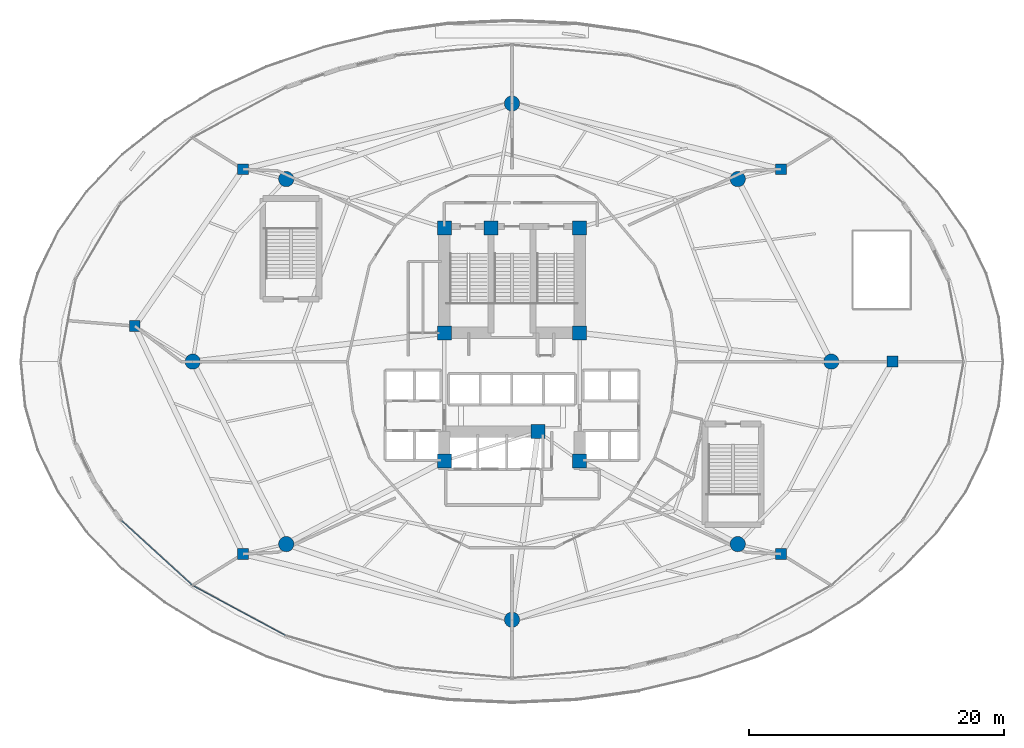
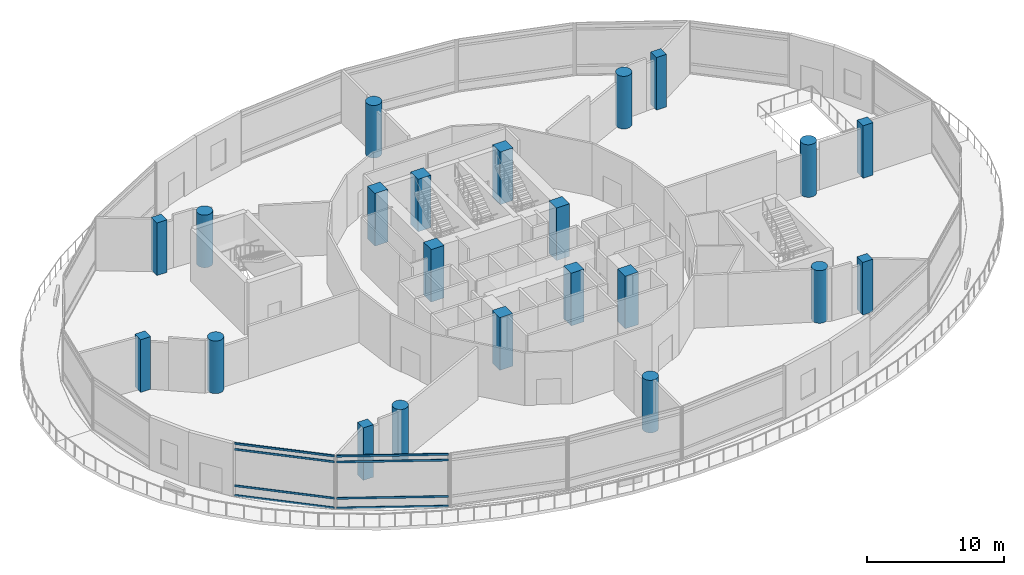
# One storey, part 1 of 36: 22 columns, 8 members, 2 elements without a shape of their own.
"""IFC4 building model written with IfcOpenShell, lengths in metres."""

import ifcopenshell
import ifcopenshell.guid

model = None  # the IFC model being written
_history = None  # IfcOwnerHistory: only IFC2X3 demands one
_inside = {}  # id of a spatial element -> (the spatial element, [elements in it])
_under = {}  # id of a project, library or spatial element -> (it, [spatial elements below it])
_declared = {}  # id of a project -> (the project, [libraries it declares])
_typed = {}  # id of a type object -> (the type object, [elements of that type])
_made_of = {}  # id of a material, layer set ... -> (it, [elements and type objects made of it])


def new_model(schema):
    """Start an empty IFC model of exactly this schema.

    Asked for "IFC4X3", IfcOpenShell would pick the latest addendum, in which some entities
    have other attributes; the version numbers below select the first issue.
    IFC2X3 requires an IfcOwnerHistory on every rooted entity: one is made here for all.
    """
    global model, _history
    if schema == "IFC4X3":
        model = ifcopenshell.file(schema_version=(4, 3, 0, 0))
    else:
        model = ifcopenshell.file(schema=schema)
    _inside.clear()
    _under.clear()
    _declared.clear()
    _typed.clear()
    _made_of.clear()
    _history = None
    if model.schema == "IFC2X3":
        org = make("IfcOrganization", Name="unknown")
        user = make(
            "IfcPersonAndOrganization",
            ThePerson=make("IfcPerson", FamilyName="unknown"),
            TheOrganization=org,
        )
        app = make(
            "IfcApplication",
            ApplicationDeveloper=org,
            Version="unknown",
            ApplicationFullName="unknown",
            ApplicationIdentifier="unknown",
        )
        _history = make(
            "IfcOwnerHistory",
            OwningUser=user,
            OwningApplication=app,
            ChangeAction="ADDED",
            CreationDate=0,
        )
    return model


def make(cls, **values):
    """One entity of the class cls with the attributes given. An attribute that is None is left unset."""
    return model.create_entity(
        cls, **{name: value for name, value in values.items() if value is not None}
    )


def rooted(cls, **values):
    """An entity with a GlobalId (a new one), such as an element, a storey or a relation."""
    return make(cls, GlobalId=ifcopenshell.guid.new(), OwnerHistory=_history, **values)


def si_unit(unit_type, name, prefix=None):
    """IfcSIUnit, for example si_unit("LENGTHUNIT", "METRE", prefix="MILLI")."""
    return make("IfcSIUnit", UnitType=unit_type, Prefix=prefix, Name=name)


def assignment(units):
    """IfcUnitAssignment: the units of a project."""
    return None if units is None else make("IfcUnitAssignment", Units=units)


def point(xyz):
    """IfcCartesianPoint."""
    return None if xyz is None else make("IfcCartesianPoint", Coordinates=xyz)


def direction(xyz):
    """IfcDirection."""
    return None if xyz is None else make("IfcDirection", DirectionRatios=xyz)


def frame(location, z_axis=None, x_axis=None):
    """IfcAxis2Placement3D, a coordinate frame: its origin and axes. An axis left out is left unset."""
    return make(
        "IfcAxis2Placement3D",
        Location=point(location),
        Axis=direction(z_axis),
        RefDirection=direction(x_axis),
    )


def frame_2d(location, x_axis=None):
    """IfcAxis2Placement2D, a coordinate frame in the plane: its origin and x axis."""
    return make(
        "IfcAxis2Placement2D", Location=point(location), RefDirection=direction(x_axis)
    )


def origin():
    """The frame at (0, 0, 0) with its axes left unset."""
    return frame((0.0, 0.0, 0.0))


def origin_2d():
    """The frame at (0, 0) in the plane with its x axis left unset."""
    return frame_2d((0.0, 0.0))


def place(relative_to, where):
    """IfcLocalPlacement: puts the frame where relative to a parent placement (None: the world)."""
    return make(
        "IfcLocalPlacement", PlacementRelTo=relative_to, RelativePlacement=where
    )


def context(
    kind, dimensions, precision=None, world=None, true_north=None, identifier=None
):
    """IfcGeometricRepresentationContext, for example the 3D "Model" context."""
    return make(
        "IfcGeometricRepresentationContext",
        ContextIdentifier=identifier,
        ContextType=kind,
        CoordinateSpaceDimension=dimensions,
        Precision=precision,
        WorldCoordinateSystem=world,
        TrueNorth=true_north,
    )


def subcontext(parent, identifier, kind, view, scale=None):
    """IfcGeometricRepresentationSubContext, for example "Body" below "Model"."""
    return make(
        "IfcGeometricRepresentationSubContext",
        ContextIdentifier=identifier,
        ContextType=kind,
        ParentContext=parent,
        TargetScale=scale,
        TargetView=view,
    )


def project(units=None, contexts=None):
    """IfcProject with its units and contexts."""
    return rooted(
        "IfcProject",
        Name="project",
        RepresentationContexts=contexts,
        UnitsInContext=assignment(units),
    )


def spatial(cls, under=None, at=None, **own):
    """A site, building, storey or space (cls), placed at a placement, below another one or the project."""
    s = rooted(cls, ObjectPlacement=at, **own)
    if under is not None:
        _under.setdefault(under.id(), (under, []))[1].append(s)
    return s


def profile(cls, at=None, kind="AREA", **sizes):
    """A parametric profile (cls). Its sizes go by their IFC names, for example OverallWidth=200.0."""
    return make(cls, ProfileType=kind, Position=at, **sizes)


def rectangle(**sizes):
    """IfcRectangleProfileDef."""
    return profile("IfcRectangleProfileDef", **sizes)


def hollow_rectangle(**sizes):
    """IfcRectangleHollowProfileDef."""
    return profile("IfcRectangleHollowProfileDef", **sizes)


def circle(**sizes):
    """IfcCircleProfileDef."""
    return profile("IfcCircleProfileDef", **sizes)


def extrude(swept, where, along, depth):
    """IfcExtrudedAreaSolid: the profile swept, set in the frame where, extruded along a direction by depth."""
    return make(
        "IfcExtrudedAreaSolid",
        SweptArea=swept,
        Position=where,
        ExtrudedDirection=direction(along),
        Depth=depth,
    )


def shape(context_of_items, identifier, shape_type, items):
    """IfcShapeRepresentation: the items that make up one representation, for example the "Body"."""
    return make(
        "IfcShapeRepresentation",
        ContextOfItems=context_of_items,
        RepresentationIdentifier=identifier,
        RepresentationType=shape_type,
        Items=items,
    )


def material(Name=None, Category=None):
    """IfcMaterial."""
    return make("IfcMaterial", Name=Name, Category=Category)


def layer(
    of_material, thickness, ventilated=None, Name=None, Category=None, Priority=None
):
    """IfcMaterialLayer: one layer of a wall or slab, of a material (None: an air gap)."""
    return make(
        "IfcMaterialLayer",
        Material=of_material,
        LayerThickness=thickness,
        IsVentilated=ventilated,
        Name=Name,
        Category=Category,
        Priority=Priority,
    )


def layer_set(layers, Name=None):
    """IfcMaterialLayerSet."""
    return make("IfcMaterialLayerSet", MaterialLayers=layers, LayerSetName=Name)


def material_profile(
    of_material, cross_section, Name=None, Category=None, Priority=None
):
    """IfcMaterialProfile: a cross section and its material."""
    return make(
        "IfcMaterialProfile",
        Name=Name,
        Material=of_material,
        Profile=cross_section,
        Priority=Priority,
        Category=Category,
    )


def profile_set(profiles, Name=None, composite=None):
    """IfcMaterialProfileSet."""
    return make(
        "IfcMaterialProfileSet",
        Name=Name,
        MaterialProfiles=profiles,
        CompositeProfile=composite,
    )


def made_of(thing, what):
    """Note that an element or type object is made of a material, layer set ...; save() writes the relation."""
    if what is not None:
        _made_of.setdefault(what.id(), (what, []))[1].append(thing)
    return thing


def type_object(cls, material=None, **own):
    """A type object (cls), such as IfcWallType, which elements share."""
    return made_of(rooted(cls, **own), material)


def element(
    cls,
    number,
    at=None,
    inside=None,
    cuts=None,
    type_object=None,
    material=None,
    context=None,
    identifier="Body",
    shape_type=None,
    held_by="IfcProductDefinitionShape",
    body=None,
    shapes=None,
    **own,
):
    """One element of the class cls, such as IfcWall. Its Tag is "e" and its number.

    at: its placement. inside: the storey or other place that contains it. cuts: it is an
    opening in that element (IfcRelVoidsElement). A single representation is given by context,
    identifier, shape_type and body (its items); several are given by shapes. held_by: the class
    of the entity that holds the representations. save() writes the other relations.
    """
    e = rooted(cls, Tag="e%d" % number, ObjectPlacement=at, **own)
    if body is not None:
        shapes = [shape(context, identifier, shape_type, body)]
    if shapes is not None:
        e.Representation = make(held_by, Representations=shapes)
    if inside is not None:
        _inside.setdefault(inside.id(), (inside, []))[1].append(e)
    if cuts is not None:
        rooted(
            "IfcRelVoidsElement", RelatingBuildingElement=cuts, RelatedOpeningElement=e
        )
    if type_object is not None:
        _typed.setdefault(type_object.id(), (type_object, []))[1].append(e)
    return made_of(e, material)


def aggregate(whole, parts):
    """IfcRelAggregates: a whole, such as a stair, and the parts it consists of."""
    return rooted("IfcRelAggregates", RelatingObject=whole, RelatedObjects=parts)


def save(model, path):
    """Write the relations noted so far, then the file.

    IfcRelAggregates (storeys below a building ...), IfcRelContainedInSpatialStructure (elements
    in a storey), IfcRelDefinesByType, IfcRelAssociatesMaterial and IfcRelDeclares: one each for
    every whole, place, type object, material and project.
    """
    for whole, parts in _under.values():
        aggregate(whole, parts)
    for where, things in _inside.values():
        rooted(
            "IfcRelContainedInSpatialStructure",
            RelatedElements=things,
            RelatingStructure=where,
        )
    for kind, things in _typed.values():
        rooted("IfcRelDefinesByType", RelatedObjects=things, RelatingType=kind)
    for what, things in _made_of.values():
        rooted("IfcRelAssociatesMaterial", RelatedObjects=things, RelatingMaterial=what)
    for by, libraries in _declared.values():
        rooted("IfcRelDeclares", RelatingContext=by, RelatedDefinitions=libraries)
    model.write(path)


model = new_model("IFC4")

# Units and contexts
model_context = context("Model", 3, precision=1e-05, world=origin(), true_north=direction((0.0, 1.0)))
body_context = subcontext(model_context, "Body", "Model", "MODEL_VIEW")
ifc_project = project(units=[si_unit("LENGTHUNIT", "METRE"), si_unit("AREAUNIT", "SQUARE_METRE"), si_unit("VOLUMEUNIT", "CUBIC_METRE"), si_unit("PLANEANGLEUNIT", "RADIAN"), si_unit("MASSUNIT", "GRAM", prefix="KILO")], contexts=[model_context])

# Site, building, storey
site_placement = place(None, origin())
site = spatial("IfcSite", under=ifc_project, at=site_placement, CompositionType="ELEMENT")
building_placement = place(site_placement, origin())
building = spatial("IfcBuilding", under=site, at=building_placement, Name="Nuhasar Tower", CompositionType="ELEMENT")
storey_placement = place(building_placement, frame((0.0, 0.0, 11.0)))
storey = spatial("IfcBuildingStorey", under=building, at=storey_placement, Name="L02", CompositionType="ELEMENT", Elevation=11.0)

# Columns
ifc_material_1 = material(Name="Concrete C80/95", Category="concrete")
ifc_material_profile_1 = material_profile(ifc_material_1, circle(Radius=0.60009765625, at=origin_2d()), Name="CFT1200")
ifc_profile_set_1 = profile_set([ifc_material_profile_1], Name="Concrete C80/95")
column_type_1 = type_object("IfcColumnType", Name="COL-CFT-1200", PredefinedType="COLUMN", material=ifc_profile_set_1)
for number, where, z_axis, x_axis, name in (
    (1, (64.050048828125, 26.800048828125, 0.0), (0.0, 0.0, 1.0), (1.0, 0.0, 0.0), "L02 Perimeter Composite Column TC-01"),
    (2, (56.712890625, 41.118896484375, 0.0), (0.0, 0.0, 1.0), (1.0, 0.0, 0.0), "L02 Perimeter Composite Column TC-04"),
    (3, (39.0, 47.050048828125, 0.0), (0.0, 0.0, 1.0), (1.0, 0.0, 0.0), "L02 Perimeter Composite Column TC-07"),
    (4, (21.287109375, 41.118896484375, 0.0), (0.0, 0.0, 1.0), (1.0, 0.0, 0.0), "L02 Perimeter Composite Column TC-10"),
    (5, (13.949951171875, 26.800048828125, 0.0), (0.0, 0.0, 1.0), (1.0, 0.0, 0.0), "L02 Perimeter Composite Column TC-13"),
    (6, (21.287109375, 12.48095703125, 0.0), (0.0, 0.0, 1.0), (1.0, 0.0, 0.0), "L02 Perimeter Composite Column TC-16"),
    (7, (39.0, 6.550048828125, 0.0), (0.0, 0.0, 1.0), (1.0, 0.0, 0.0), "L02 Perimeter Composite Column TC-19"),
    (8, (56.712890625, 12.48095703125, 0.0), (0.0, 0.0, 1.0), (1.0, 0.0, 0.0), "L02 Perimeter Composite Column TC-22"),
):
    element("IfcColumn", number, at=place(storey_placement, frame(where, z_axis=z_axis, x_axis=x_axis)), inside=storey, type_object=column_type_1, Name=name, PredefinedType="COLUMN", context=body_context, shape_type="SweptSolid", body=[
        extrude(circle(Radius=0.60009765625, at=origin_2d()), origin(), (0.0, 0.0, 1.0), 4.699951171875),
    ])
ifc_material_2 = material(Name="Concrete C50/60", Category="concrete")
ifc_material_profile_2 = material_profile(ifc_material_2, rectangle(XDim=0.85009765625, YDim=0.85009765625, at=origin_2d()), Name="RC850X850")
ifc_profile_set_2 = profile_set([ifc_material_profile_2], Name="Concrete C50/60")
column_type_2 = type_object("IfcColumnType", Name="COL-POD-850", PredefinedType="COLUMN", material=ifc_profile_set_2)
for number, where, z_axis, x_axis, name in (
    (9, (68.85009765625, 26.800048828125, 0.0), (0.0, 0.0, 1.0), (1.0, 0.0, 0.0), "L02 Podium Perimeter Column PC-01"),
    (10, (60.10693359375, 41.89697265625, 0.0), (0.0, 0.0, 1.0), (1.0, 0.0, 0.0), "L02 Podium Perimeter Column PC-02"),
    (11, (17.89306640625, 41.89697265625, 0.0), (0.0, 0.0, 1.0), (1.0, 0.0, 0.0), "L02 Podium Perimeter Column PC-03"),
    (12, (9.405029296875, 29.5869140625, 0.0), (0.0, 0.0, 1.0), (1.0, 0.0, 0.0), "L02 Podium Perimeter Column PC-04"),
    (13, (17.89306640625, 11.702880859375, 0.0), (0.0, 0.0, 1.0), (1.0, 0.0, 0.0), "L02 Podium Perimeter Column PC-05"),
    (14, (60.10693359375, 11.702880859375, 0.0), (0.0, 0.0, 1.0), (1.0, 0.0, 0.0), "L02 Podium Perimeter Column PC-06"),
):
    element("IfcColumn", number, at=place(storey_placement, frame(where, z_axis=z_axis, x_axis=x_axis)), inside=storey, type_object=column_type_2, Name=name, PredefinedType="COLUMN", context=body_context, shape_type="SweptSolid", body=[
        extrude(rectangle(XDim=0.85009765625, YDim=0.85009765625, at=origin_2d()), origin(), (0.0, 0.0, 1.0), 4.699951171875),
    ])
ifc_material_profile_3 = material_profile(ifc_material_1, rectangle(XDim=1.10009765625, YDim=1.10009765625, at=origin_2d()), Name="RC1100X1100")
ifc_profile_set_3 = profile_set([ifc_material_profile_3], Name="Concrete C80/95")
column_type_3 = type_object("IfcColumnType", Name="PIL-RC-1100", PredefinedType="PILASTER", material=ifc_profile_set_3)
for number, where, z_axis, x_axis, name in (
    (15, (33.699951171875, 19.0, 0.0), (0.0, 0.0, 1.0), (1.0, 0.0, 0.0), "L02 Core Boundary Pilaster CC-01"),
    (16, (41.050048828125, 21.300048828125, 0.0), (0.0, 0.0, 1.0), (1.0, 0.0, 0.0), "L02 Core Boundary Pilaster CC-02"),
    (17, (44.300048828125, 19.0, 0.0), (0.0, 0.0, 1.0), (1.0, 0.0, 0.0), "L02 Core Boundary Pilaster CC-03"),
    (18, (44.300048828125, 29.050048828125, 0.0), (0.0, 0.0, 1.0), (1.0, 0.0, 0.0), "L02 Core Boundary Pilaster CC-04"),
    (19, (44.300048828125, 37.300048828125, 0.0), (0.0, 0.0, 1.0), (1.0, 0.0, 0.0), "L02 Core Boundary Pilaster CC-05"),
    (20, (37.35009765625, 37.300048828125, 0.0), (0.0, 0.0, 1.0), (1.0, 0.0, 0.0), "L02 Core Boundary Pilaster CC-06"),
    (21, (33.699951171875, 37.300048828125, 0.0), (0.0, 0.0, 1.0), (1.0, 0.0, 0.0), "L02 Core Boundary Pilaster CC-07"),
    (22, (33.699951171875, 29.050048828125, 0.0), (0.0, 0.0, 1.0), (1.0, 0.0, 0.0), "L02 Core Boundary Pilaster CC-08"),
):
    element("IfcColumn", number, at=place(storey_placement, frame(where, z_axis=z_axis, x_axis=x_axis)), inside=storey, type_object=column_type_3, Name=name, PredefinedType="PILASTER", context=body_context, shape_type="SweptSolid", body=[
        extrude(rectangle(XDim=1.10009765625, YDim=1.10009765625, at=origin_2d()), origin(), (0.0, 0.0, 1.0), 4.699951171875),
    ])

# Curtain wall, members
ifc_material_3 = material(Name="Aluminium 6063-T6", Category="aluminium")
ifc_layer = layer(ifc_material_3, 0.219970703125)
ifc_layer_set = layer_set([ifc_layer], Name="Aluminium 6063-T6")
curtain_wall_type = type_object("IfcCurtainWallType", Name="CW-PODIUM", PredefinedType="NOTDEFINED", material=ifc_layer_set)
curtain_wall_1_placement = place(storey_placement, origin())
curtain_wall_1 = element("IfcCurtainWall", 23, at=curtain_wall_1_placement, inside=storey, type_object=curtain_wall_type, Name="L02 Podium Curtain Wall Bay 15", PredefinedType="NOTDEFINED")
ifc_material_profile_4 = material_profile(ifc_material_3, hollow_rectangle(XDim=0.074951171875, YDim=0.179931640625, WallThickness=0.00439453125, at=origin_2d()), Name="CWT-1")
ifc_profile_set_4 = profile_set([ifc_material_profile_4], Name="Aluminium 6063-T6")
member_type = type_object("IfcMemberType", Name="CW-TRN-S1", PredefinedType="USERDEFINED", material=ifc_profile_set_4)
member_1_placement = place(storey_placement, frame((8.36328125, 14.329345703125, 0.03759765625), z_axis=(0.738314426229, -0.674456676164, 0.0), x_axis=(0.674456676164, 0.738314426229, 0.0)))
member_1 = element("IfcMember", 24, at=member_1_placement, type_object=member_type, Name="CW-P1 transom 1.1", ObjectType="TRANSOM", PredefinedType="USERDEFINED", context=body_context, shape_type="SweptSolid", body=[
    extrude(hollow_rectangle(XDim=0.074951171875, YDim=0.179931640625, WallThickness=0.00439453125, at=origin_2d()), origin(), (0.0, 0.0, 1.0), 7.478271484375),
])
member_2_placement = place(storey_placement, frame((8.36328125, 14.329345703125, 0.89990234375), z_axis=(0.738314426229, -0.674456676164, 0.0), x_axis=(0.674456676164, 0.738314426229, 0.0)))
member_2 = element("IfcMember", 25, at=member_2_placement, type_object=member_type, Name="CW-P1 transom 1.2", ObjectType="TRANSOM", PredefinedType="USERDEFINED", context=body_context, shape_type="SweptSolid", body=[
    extrude(hollow_rectangle(XDim=0.074951171875, YDim=0.179931640625, WallThickness=0.00439453125, at=origin_2d()), origin(), (0.0, 0.0, 1.0), 7.478271484375),
])
member_3_placement = place(storey_placement, frame((8.36328125, 14.329345703125, 4.14990234375), z_axis=(0.738314426229, -0.674456676164, 0.0), x_axis=(0.674456676164, 0.738314426229, 0.0)))
member_3 = element("IfcMember", 26, at=member_3_placement, type_object=member_type, Name="CW-P1 transom 1.3", ObjectType="TRANSOM", PredefinedType="USERDEFINED", context=body_context, shape_type="SweptSolid", body=[
    extrude(hollow_rectangle(XDim=0.074951171875, YDim=0.179931640625, WallThickness=0.00439453125, at=origin_2d()), origin(), (0.0, 0.0, 1.0), 7.478271484375),
])
member_4_placement = place(storey_placement, frame((8.36328125, 14.329345703125, 4.66259765625), z_axis=(0.738314426229, -0.674456676164, 0.0), x_axis=(0.674456676164, 0.738314426229, 0.0)))
member_4 = element("IfcMember", 27, at=member_4_placement, type_object=member_type, Name="CW-P1 transom 1.4", ObjectType="TRANSOM", PredefinedType="USERDEFINED", context=body_context, shape_type="SweptSolid", body=[
    extrude(hollow_rectangle(XDim=0.074951171875, YDim=0.179931640625, WallThickness=0.00439453125, at=origin_2d()), origin(), (0.0, 0.0, 1.0), 7.478271484375),
])
aggregate(curtain_wall_1, [member_1, member_2, member_3, member_4])

curtain_wall_2_placement = place(storey_placement, origin())
curtain_wall_2 = element("IfcCurtainWall", 28, at=curtain_wall_2_placement, inside=storey, type_object=curtain_wall_type, Name="L02 Podium Curtain Wall Bay 16", PredefinedType="NOTDEFINED")
member_5_placement = place(storey_placement, frame((14.006103515625, 9.199462890625, 0.03759765625), z_axis=(0.880732475628, -0.473614090135, 0.0), x_axis=(0.473614090135, 0.880732475628, 0.0)))
member_5 = element("IfcMember", 29, at=member_5_placement, type_object=member_type, Name="CW-P1 transom 1.1", ObjectType="TRANSOM", PredefinedType="USERDEFINED", context=body_context, shape_type="SweptSolid", body=[
    extrude(hollow_rectangle(XDim=0.074951171875, YDim=0.179931640625, WallThickness=0.00439453125, at=origin_2d()), origin(), (0.0, 0.0, 1.0), 8.183837890625),
])
member_6_placement = place(storey_placement, frame((14.006103515625, 9.199462890625, 0.89990234375), z_axis=(0.880732475628, -0.473614090135, 0.0), x_axis=(0.473614090135, 0.880732475628, 0.0)))
member_6 = element("IfcMember", 30, at=member_6_placement, type_object=member_type, Name="CW-P1 transom 1.2", ObjectType="TRANSOM", PredefinedType="USERDEFINED", context=body_context, shape_type="SweptSolid", body=[
    extrude(hollow_rectangle(XDim=0.074951171875, YDim=0.179931640625, WallThickness=0.00439453125, at=origin_2d()), origin(), (0.0, 0.0, 1.0), 8.183837890625),
])
member_7_placement = place(storey_placement, frame((14.006103515625, 9.199462890625, 4.14990234375), z_axis=(0.880732475628, -0.473614090135, 0.0), x_axis=(0.473614090135, 0.880732475628, 0.0)))
member_7 = element("IfcMember", 31, at=member_7_placement, type_object=member_type, Name="CW-P1 transom 1.3", ObjectType="TRANSOM", PredefinedType="USERDEFINED", context=body_context, shape_type="SweptSolid", body=[
    extrude(hollow_rectangle(XDim=0.074951171875, YDim=0.179931640625, WallThickness=0.00439453125, at=origin_2d()), origin(), (0.0, 0.0, 1.0), 8.183837890625),
])
member_8_placement = place(storey_placement, frame((14.006103515625, 9.199462890625, 4.66259765625), z_axis=(0.880732475628, -0.473614090135, 0.0), x_axis=(0.473614090135, 0.880732475628, 0.0)))
member_8 = element("IfcMember", 32, at=member_8_placement, type_object=member_type, Name="CW-P1 transom 1.4", ObjectType="TRANSOM", PredefinedType="USERDEFINED", context=body_context, shape_type="SweptSolid", body=[
    extrude(hollow_rectangle(XDim=0.074951171875, YDim=0.179931640625, WallThickness=0.00439453125, at=origin_2d()), origin(), (0.0, 0.0, 1.0), 8.183837890625),
])
aggregate(curtain_wall_2, [member_5, member_6, member_7, member_8])

save(model, "model.ifc")
